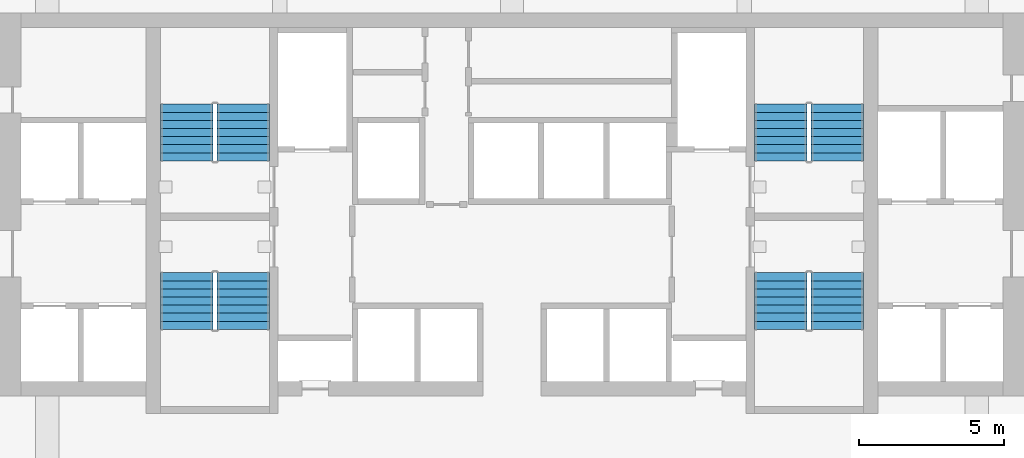
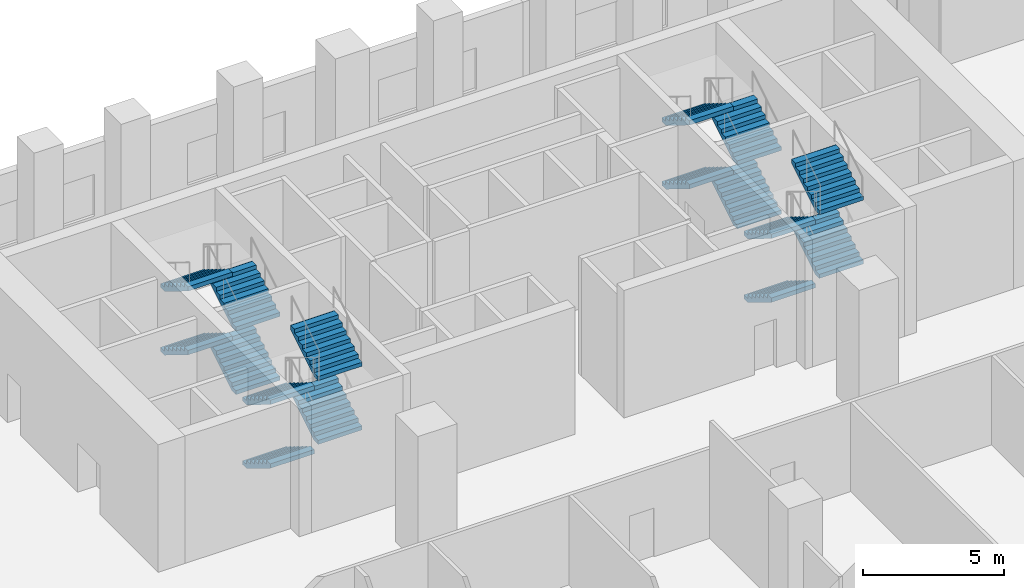
# One storey, part 15 of 22: 16 stair flights, 4 elements without a shape of their own.
"""IFC4 building model written with IfcOpenShell, lengths in metres."""

from ifc_helpers import new_model, si_unit, direction, frame, origin, place, context, subcontext, project, spatial, faceted_brep, source, transform, mapped, material, type_object, element, aggregate, save


model = new_model("IFC4")

# Units and contexts
model_context = context("Model", 3, precision=1e-05, world=origin(), true_north=direction((0.0, 1.0)))
body_context = subcontext(model_context, "Body", "Model", "MODEL_VIEW")
ifc_project = project(units=[si_unit("LENGTHUNIT", "METRE"), si_unit("AREAUNIT", "SQUARE_METRE"), si_unit("VOLUMEUNIT", "CUBIC_METRE"), si_unit("PLANEANGLEUNIT", "RADIAN"), si_unit("MASSUNIT", "GRAM", prefix="KILO")], contexts=[model_context])

# Site, building, storey
site_placement = place(None, origin())
site = spatial("IfcSite", under=ifc_project, at=site_placement, CompositionType="ELEMENT")
building_placement = place(site_placement, origin())
building = spatial("IfcBuilding", under=site, at=building_placement, Name="Calabash Gate Tower", CompositionType="ELEMENT")
storey_placement = place(building_placement, frame((0.0, 0.0, 29.0)))
storey = spatial("IfcBuildingStorey", under=building, at=storey_placement, Name="L03", CompositionType="ELEMENT", Elevation=29.0)

# Stair, stair flights
ifc_material_1 = material(Name="Concrete C40/50", Category="concrete")
stair_type = type_object("IfcStairType", Name="Exit stair 32 risers of 171.9 mm", PredefinedType="HALF_TURN_STAIR", material=ifc_material_1)
stair_1_placement = place(storey_placement, origin())
stair_1 = element("IfcStair", 1, at=stair_1_placement, inside=storey, type_object=stair_type, Name="L03 Exit stair ST1", PredefinedType="HALF_TURN_STAIR")
ifc_material_2 = material(Name="Concrete C40/50", Category="concrete")
stair_flight_type = type_object("IfcStairFlightType", Name="Exit stair flight SFL", PredefinedType="STRAIGHT", material=ifc_material_2)
shared_shape = source(origin(), body_context, "Body", "Brep", [
    faceted_brep([(-0.0009765625, -0.89990234375, 0.0), (0.285888671875, -0.89990234375, 0.0), (1.9541015625, -0.89990234375, 1.027099609375), (-0.0009765625, 0.89990234375, 0.0), (1.9541015625, 0.89990234375, 1.027099609375), (0.285888671875, 0.89990234375, 0.0), (1.9541015625, -0.89990234375, 1.215087890625), (1.952880859375, -0.89990234375, 1.215087890625), (1.952880859375, 0.89990234375, 1.215087890625), (1.9541015625, 0.89990234375, 1.215087890625), (1.952880859375, -0.89990234375, 1.203125), (1.952880859375, 0.89990234375, 1.203125), (1.674072265625, -0.89990234375, 1.203125), (1.674072265625, 0.89990234375, 1.203125), (1.674072265625, -0.89990234375, 1.03125), (1.674072265625, 0.89990234375, 1.03125), (1.39501953125, -0.89990234375, 1.03125), (1.39501953125, 0.89990234375, 1.03125), (1.39501953125, -0.89990234375, 0.859375), (1.39501953125, 0.89990234375, 0.859375), (1.115966796875, -0.89990234375, 0.859375), (1.115966796875, -0.89990234375, 0.6875), (1.115966796875, 0.89990234375, 0.6875), (1.115966796875, 0.89990234375, 0.859375), (0.8369140625, -0.89990234375, 0.6875), (0.8369140625, -0.89990234375, 0.515625), (0.8369140625, 0.89990234375, 0.515625), (0.8369140625, 0.89990234375, 0.6875), (0.55810546875, -0.89990234375, 0.515625), (0.55810546875, -0.89990234375, 0.34375), (0.55810546875, 0.89990234375, 0.34375), (0.55810546875, 0.89990234375, 0.515625), (0.279052734375, -0.89990234375, 0.34375), (0.279052734375, -0.89990234375, 0.171875), (0.279052734375, 0.89990234375, 0.171875), (0.279052734375, 0.89990234375, 0.34375), (-0.0009765625, -0.89990234375, 0.171875), (-0.0009765625, 0.89990234375, 0.171875), (0.285888671875, -0.360107421875, 0.0), (1.9541015625, -0.360107421875, 1.027099609375), (0.285888671875, -0.27001953125, 0.0), (1.9541015625, -0.27001953125, 1.027099609375), (0.285888671875, -0.179931640625, 0.0), (1.9541015625, -0.179931640625, 1.027099609375), (0.285888671875, -0.090087890625, 0.0), (1.9541015625, -0.090087890625, 1.027099609375), (0.285888671875, 0.0, 0.0), (1.9541015625, 0.0, 1.027099609375), (0.285888671875, 0.090087890625, 0.0), (1.9541015625, 0.090087890625, 1.027099609375), (0.285888671875, 0.179931640625, 0.0), (1.9541015625, 0.179931640625, 1.027099609375), (0.285888671875, 0.27001953125, 0.0), (1.9541015625, 0.27001953125, 1.027099609375), (0.285888671875, 0.360107421875, 0.0), (1.9541015625, 0.360107421875, 1.027099609375), (1.9541015625, -0.360107421875, 1.215087890625), (1.9541015625, -0.27001953125, 1.215087890625), (1.9541015625, -0.179931640625, 1.215087890625), (1.9541015625, -0.090087890625, 1.215087890625), (1.9541015625, 0.0, 1.215087890625), (1.9541015625, 0.090087890625, 1.215087890625), (1.9541015625, 0.179931640625, 1.215087890625), (1.9541015625, 0.27001953125, 1.215087890625), (1.9541015625, 0.360107421875, 1.215087890625), (1.952880859375, -0.360107421875, 1.215087890625), (1.952880859375, -0.27001953125, 1.215087890625), (1.952880859375, -0.179931640625, 1.215087890625), (1.952880859375, -0.090087890625, 1.215087890625), (1.952880859375, 0.0, 1.215087890625), (1.952880859375, 0.090087890625, 1.215087890625), (1.952880859375, 0.179931640625, 1.215087890625), (1.952880859375, 0.27001953125, 1.215087890625), (1.952880859375, 0.360107421875, 1.215087890625), (1.952880859375, -0.360107421875, 1.203125), (1.952880859375, -0.27001953125, 1.203125), (1.952880859375, -0.179931640625, 1.203125), (1.952880859375, -0.090087890625, 1.203125), (1.952880859375, 0.0, 1.203125), (1.952880859375, 0.090087890625, 1.203125), (1.952880859375, 0.179931640625, 1.203125), (1.952880859375, 0.27001953125, 1.203125), (1.952880859375, 0.360107421875, 1.203125), (1.674072265625, -0.360107421875, 1.203125), (1.674072265625, -0.27001953125, 1.203125), (1.674072265625, -0.179931640625, 1.203125), (1.674072265625, -0.090087890625, 1.203125), (1.674072265625, 0.0, 1.203125), (1.674072265625, 0.090087890625, 1.203125), (1.674072265625, 0.179931640625, 1.203125), (1.674072265625, 0.27001953125, 1.203125), (1.674072265625, 0.360107421875, 1.203125), (1.674072265625, -0.360107421875, 1.03125), (1.674072265625, -0.27001953125, 1.03125), (1.674072265625, -0.179931640625, 1.03125), (1.674072265625, -0.090087890625, 1.03125), (1.674072265625, 0.0, 1.03125), (1.674072265625, 0.090087890625, 1.03125), (1.674072265625, 0.179931640625, 1.03125), (1.674072265625, 0.27001953125, 1.03125), (1.674072265625, 0.360107421875, 1.03125), (1.39501953125, -0.360107421875, 1.03125), (1.39501953125, -0.27001953125, 1.03125), (1.39501953125, -0.179931640625, 1.03125), (1.39501953125, -0.090087890625, 1.03125), (1.39501953125, 0.0, 1.03125), (1.39501953125, 0.090087890625, 1.03125), (1.39501953125, 0.179931640625, 1.03125), (1.39501953125, 0.27001953125, 1.03125), (1.39501953125, 0.360107421875, 1.03125), (1.39501953125, -0.360107421875, 0.859375), (1.39501953125, -0.27001953125, 0.859375), (1.39501953125, -0.179931640625, 0.859375), (1.39501953125, -0.090087890625, 0.859375), (1.39501953125, 0.0, 0.859375), (1.39501953125, 0.090087890625, 0.859375), (1.39501953125, 0.179931640625, 0.859375), (1.39501953125, 0.27001953125, 0.859375), (1.39501953125, 0.360107421875, 0.859375), (1.115966796875, -0.360107421875, 0.859375), (1.115966796875, -0.27001953125, 0.859375), (1.115966796875, -0.179931640625, 0.859375), (1.115966796875, -0.090087890625, 0.859375), (1.115966796875, 0.0, 0.859375), (1.115966796875, 0.090087890625, 0.859375), (1.115966796875, 0.179931640625, 0.859375), (1.115966796875, 0.27001953125, 0.859375), (1.115966796875, 0.360107421875, 0.859375), (1.115966796875, -0.360107421875, 0.6875), (1.115966796875, -0.27001953125, 0.6875), (1.115966796875, -0.179931640625, 0.6875), (1.115966796875, -0.090087890625, 0.6875), (1.115966796875, 0.0, 0.6875), (1.115966796875, 0.090087890625, 0.6875), (1.115966796875, 0.179931640625, 0.6875), (1.115966796875, 0.27001953125, 0.6875), (1.115966796875, 0.360107421875, 0.6875), (0.8369140625, -0.360107421875, 0.6875), (0.8369140625, -0.27001953125, 0.6875), (0.8369140625, -0.179931640625, 0.6875), (0.8369140625, -0.090087890625, 0.6875), (0.8369140625, 0.0, 0.6875), (0.8369140625, 0.090087890625, 0.6875), (0.8369140625, 0.179931640625, 0.6875), (0.8369140625, 0.27001953125, 0.6875), (0.8369140625, 0.360107421875, 0.6875), (0.8369140625, -0.360107421875, 0.515625), (0.8369140625, -0.27001953125, 0.515625), (0.8369140625, -0.179931640625, 0.515625), (0.8369140625, -0.090087890625, 0.515625), (0.8369140625, 0.0, 0.515625), (0.8369140625, 0.090087890625, 0.515625), (0.8369140625, 0.179931640625, 0.515625), (0.8369140625, 0.27001953125, 0.515625), (0.8369140625, 0.360107421875, 0.515625), (0.55810546875, -0.360107421875, 0.515625), (0.55810546875, -0.27001953125, 0.515625), (0.55810546875, -0.179931640625, 0.515625), (0.55810546875, -0.090087890625, 0.515625), (0.55810546875, 0.0, 0.515625), (0.55810546875, 0.090087890625, 0.515625), (0.55810546875, 0.179931640625, 0.515625), (0.55810546875, 0.27001953125, 0.515625), (0.55810546875, 0.360107421875, 0.515625), (0.55810546875, -0.360107421875, 0.34375), (0.55810546875, -0.27001953125, 0.34375), (0.55810546875, -0.179931640625, 0.34375), (0.55810546875, -0.090087890625, 0.34375), (0.55810546875, 0.0, 0.34375), (0.55810546875, 0.090087890625, 0.34375), (0.55810546875, 0.179931640625, 0.34375), (0.55810546875, 0.27001953125, 0.34375), (0.55810546875, 0.360107421875, 0.34375), (0.279052734375, -0.360107421875, 0.34375), (0.279052734375, -0.27001953125, 0.34375), (0.279052734375, -0.179931640625, 0.34375), (0.279052734375, -0.090087890625, 0.34375), (0.279052734375, 0.0, 0.34375), (0.279052734375, 0.090087890625, 0.34375), (0.279052734375, 0.179931640625, 0.34375), (0.279052734375, 0.27001953125, 0.34375), (0.279052734375, 0.360107421875, 0.34375), (0.279052734375, -0.360107421875, 0.171875), (0.279052734375, -0.27001953125, 0.171875), (0.279052734375, -0.179931640625, 0.171875), (0.279052734375, -0.090087890625, 0.171875), (0.279052734375, 0.0, 0.171875), (0.279052734375, 0.090087890625, 0.171875), (0.279052734375, 0.179931640625, 0.171875), (0.279052734375, 0.27001953125, 0.171875), (0.279052734375, 0.360107421875, 0.171875), (-0.0009765625, -0.360107421875, 0.171875), (-0.0009765625, -0.27001953125, 0.171875), (-0.0009765625, -0.179931640625, 0.171875), (-0.0009765625, -0.090087890625, 0.171875), (-0.0009765625, 0.0, 0.171875), (-0.0009765625, 0.090087890625, 0.171875), (-0.0009765625, 0.179931640625, 0.171875), (-0.0009765625, 0.27001953125, 0.171875), (-0.0009765625, 0.360107421875, 0.171875), (-0.0009765625, -0.360107421875, 0.0), (-0.0009765625, -0.27001953125, 0.0), (-0.0009765625, -0.179931640625, 0.0), (-0.0009765625, -0.090087890625, 0.0), (-0.0009765625, 0.0, 0.0), (-0.0009765625, 0.090087890625, 0.0), (-0.0009765625, 0.179931640625, 0.0), (-0.0009765625, 0.27001953125, 0.0), (-0.0009765625, 0.360107421875, 0.0)], [[[0, 1, 2]], [[3, 4, 5]], [[2, 6, 7]], [[4, 8, 9]], [[2, 7, 10]], [[4, 11, 8]], [[2, 10, 12]], [[4, 13, 11]], [[2, 12, 14]], [[4, 15, 13]], [[2, 14, 16]], [[4, 17, 15]], [[2, 16, 18]], [[4, 19, 17]], [[18, 20, 21]], [[19, 22, 23]], [[2, 18, 21]], [[4, 22, 19]], [[21, 24, 25]], [[22, 26, 27]], [[2, 21, 25]], [[4, 26, 22]], [[25, 28, 29]], [[26, 30, 31]], [[2, 25, 29]], [[4, 30, 26]], [[29, 32, 33]], [[30, 34, 35]], [[2, 29, 33]], [[4, 34, 30]], [[0, 2, 33]], [[3, 34, 4]], [[33, 36, 0]], [[34, 3, 37]], [[1, 38, 2]], [[38, 39, 2]], [[38, 40, 39]], [[40, 41, 39]], [[40, 42, 41]], [[42, 43, 41]], [[42, 44, 43]], [[44, 45, 43]], [[44, 46, 45]], [[46, 47, 45]], [[46, 48, 49]], [[46, 49, 47]], [[48, 50, 51]], [[48, 51, 49]], [[50, 52, 53]], [[50, 53, 51]], [[52, 54, 55]], [[52, 55, 53]], [[54, 5, 4]], [[54, 4, 55]], [[2, 39, 6]], [[39, 56, 6]], [[39, 41, 56]], [[41, 57, 56]], [[41, 43, 57]], [[43, 58, 57]], [[43, 45, 58]], [[45, 59, 58]], [[45, 47, 59]], [[47, 60, 59]], [[47, 49, 61]], [[47, 61, 60]], [[49, 51, 62]], [[49, 62, 61]], [[51, 53, 63]], [[51, 63, 62]], [[53, 55, 64]], [[53, 64, 63]], [[55, 4, 9]], [[55, 9, 64]], [[6, 56, 7]], [[56, 65, 7]], [[56, 57, 65]], [[57, 66, 65]], [[57, 58, 66]], [[58, 67, 66]], [[58, 59, 67]], [[59, 68, 67]], [[59, 60, 68]], [[60, 69, 68]], [[60, 61, 70]], [[60, 70, 69]], [[61, 62, 71]], [[61, 71, 70]], [[62, 63, 72]], [[62, 72, 71]], [[63, 64, 73]], [[63, 73, 72]], [[64, 9, 8]], [[64, 8, 73]], [[7, 65, 10]], [[65, 74, 10]], [[65, 66, 74]], [[66, 75, 74]], [[66, 67, 75]], [[67, 76, 75]], [[67, 68, 76]], [[68, 77, 76]], [[68, 69, 77]], [[69, 78, 77]], [[69, 70, 79]], [[69, 79, 78]], [[70, 71, 80]], [[70, 80, 79]], [[71, 72, 81]], [[71, 81, 80]], [[72, 73, 82]], [[72, 82, 81]], [[73, 8, 11]], [[73, 11, 82]], [[10, 74, 12]], [[74, 83, 12]], [[74, 75, 83]], [[75, 84, 83]], [[75, 76, 84]], [[76, 85, 84]], [[76, 77, 85]], [[77, 86, 85]], [[77, 78, 86]], [[78, 87, 86]], [[78, 79, 88]], [[78, 88, 87]], [[79, 80, 89]], [[79, 89, 88]], [[80, 81, 90]], [[80, 90, 89]], [[81, 82, 91]], [[81, 91, 90]], [[82, 11, 13]], [[82, 13, 91]], [[12, 83, 14]], [[83, 92, 14]], [[83, 84, 92]], [[84, 93, 92]], [[84, 85, 93]], [[85, 94, 93]], [[85, 86, 94]], [[86, 95, 94]], [[86, 87, 95]], [[87, 96, 95]], [[87, 88, 97]], [[87, 97, 96]], [[88, 89, 98]], [[88, 98, 97]], [[89, 90, 99]], [[89, 99, 98]], [[90, 91, 100]], [[90, 100, 99]], [[91, 13, 15]], [[91, 15, 100]], [[14, 92, 16]], [[92, 101, 16]], [[92, 93, 101]], [[93, 102, 101]], [[93, 94, 102]], [[94, 103, 102]], [[94, 95, 103]], [[95, 104, 103]], [[95, 96, 104]], [[96, 105, 104]], [[96, 97, 106]], [[96, 106, 105]], [[97, 98, 107]], [[97, 107, 106]], [[98, 99, 108]], [[98, 108, 107]], [[99, 100, 109]], [[99, 109, 108]], [[100, 15, 17]], [[100, 17, 109]], [[16, 101, 18]], [[101, 110, 18]], [[101, 102, 110]], [[102, 111, 110]], [[102, 103, 111]], [[103, 112, 111]], [[103, 104, 112]], [[104, 113, 112]], [[104, 105, 113]], [[105, 114, 113]], [[105, 106, 115]], [[105, 115, 114]], [[106, 107, 116]], [[106, 116, 115]], [[107, 108, 117]], [[107, 117, 116]], [[108, 109, 118]], [[108, 118, 117]], [[109, 17, 19]], [[109, 19, 118]], [[18, 110, 20]], [[110, 119, 20]], [[110, 111, 119]], [[111, 120, 119]], [[111, 112, 120]], [[112, 121, 120]], [[112, 113, 121]], [[113, 122, 121]], [[113, 114, 122]], [[114, 123, 122]], [[114, 115, 124]], [[114, 124, 123]], [[115, 116, 125]], [[115, 125, 124]], [[116, 117, 126]], [[116, 126, 125]], [[117, 118, 127]], [[117, 127, 126]], [[118, 19, 23]], [[118, 23, 127]], [[20, 119, 21]], [[119, 128, 21]], [[119, 120, 128]], [[120, 129, 128]], [[120, 121, 129]], [[121, 130, 129]], [[121, 122, 130]], [[122, 131, 130]], [[122, 123, 131]], [[123, 132, 131]], [[123, 124, 133]], [[123, 133, 132]], [[124, 125, 134]], [[124, 134, 133]], [[125, 126, 135]], [[125, 135, 134]], [[126, 127, 136]], [[126, 136, 135]], [[127, 23, 22]], [[127, 22, 136]], [[21, 128, 24]], [[128, 137, 24]], [[128, 129, 137]], [[129, 138, 137]], [[129, 130, 138]], [[130, 139, 138]], [[130, 131, 139]], [[131, 140, 139]], [[131, 132, 140]], [[132, 141, 140]], [[132, 133, 142]], [[132, 142, 141]], [[133, 134, 143]], [[133, 143, 142]], [[134, 135, 144]], [[134, 144, 143]], [[135, 136, 145]], [[135, 145, 144]], [[136, 22, 27]], [[136, 27, 145]], [[24, 137, 25]], [[137, 146, 25]], [[137, 138, 146]], [[138, 147, 146]], [[138, 139, 147]], [[139, 148, 147]], [[139, 140, 148]], [[140, 149, 148]], [[140, 141, 149]], [[141, 150, 149]], [[141, 142, 151]], [[141, 151, 150]], [[142, 143, 152]], [[142, 152, 151]], [[143, 144, 153]], [[143, 153, 152]], [[144, 145, 154]], [[144, 154, 153]], [[145, 27, 26]], [[145, 26, 154]], [[25, 146, 28]], [[146, 155, 28]], [[146, 147, 155]], [[147, 156, 155]], [[147, 148, 156]], [[148, 157, 156]], [[148, 149, 157]], [[149, 158, 157]], [[149, 150, 158]], [[150, 159, 158]], [[150, 151, 160]], [[150, 160, 159]], [[151, 152, 161]], [[151, 161, 160]], [[152, 153, 162]], [[152, 162, 161]], [[153, 154, 163]], [[153, 163, 162]], [[154, 26, 31]], [[154, 31, 163]], [[28, 155, 29]], [[155, 164, 29]], [[155, 156, 164]], [[156, 165, 164]], [[156, 157, 165]], [[157, 166, 165]], [[157, 158, 166]], [[158, 167, 166]], [[158, 159, 167]], [[159, 168, 167]], [[159, 160, 169]], [[159, 169, 168]], [[160, 161, 170]], [[160, 170, 169]], [[161, 162, 171]], [[161, 171, 170]], [[162, 163, 172]], [[162, 172, 171]], [[163, 31, 30]], [[163, 30, 172]], [[29, 164, 32]], [[164, 173, 32]], [[164, 165, 173]], [[165, 174, 173]], [[165, 166, 174]], [[166, 175, 174]], [[166, 167, 175]], [[167, 176, 175]], [[167, 168, 176]], [[168, 177, 176]], [[168, 169, 178]], [[168, 178, 177]], [[169, 170, 179]], [[169, 179, 178]], [[170, 171, 180]], [[170, 180, 179]], [[171, 172, 181]], [[171, 181, 180]], [[172, 30, 35]], [[172, 35, 181]], [[32, 173, 33]], [[173, 182, 33]], [[173, 174, 182]], [[174, 183, 182]], [[174, 175, 183]], [[175, 184, 183]], [[175, 176, 184]], [[176, 185, 184]], [[176, 177, 185]], [[177, 186, 185]], [[177, 178, 187]], [[177, 187, 186]], [[178, 179, 188]], [[178, 188, 187]], [[179, 180, 189]], [[179, 189, 188]], [[180, 181, 190]], [[180, 190, 189]], [[181, 35, 34]], [[181, 34, 190]], [[33, 182, 36]], [[182, 191, 36]], [[182, 183, 191]], [[183, 192, 191]], [[183, 184, 192]], [[184, 193, 192]], [[184, 185, 193]], [[185, 194, 193]], [[185, 186, 194]], [[186, 195, 194]], [[186, 187, 196]], [[186, 196, 195]], [[187, 188, 197]], [[187, 197, 196]], [[188, 189, 198]], [[188, 198, 197]], [[189, 190, 199]], [[189, 199, 198]], [[190, 34, 37]], [[190, 37, 199]], [[36, 191, 0]], [[191, 200, 0]], [[191, 192, 200]], [[192, 201, 200]], [[192, 193, 201]], [[193, 202, 201]], [[193, 194, 202]], [[194, 203, 202]], [[194, 195, 203]], [[195, 204, 203]], [[195, 196, 205]], [[195, 205, 204]], [[196, 197, 206]], [[196, 206, 205]], [[197, 198, 207]], [[197, 207, 206]], [[198, 199, 208]], [[198, 208, 207]], [[199, 37, 3]], [[199, 3, 208]], [[0, 200, 1]], [[200, 38, 1]], [[200, 201, 38]], [[201, 40, 38]], [[201, 202, 40]], [[202, 42, 40]], [[202, 203, 42]], [[203, 44, 42]], [[203, 204, 44]], [[204, 46, 44]], [[204, 205, 48]], [[204, 48, 46]], [[205, 206, 50]], [[205, 50, 48]], [[206, 207, 52]], [[206, 52, 50]], [[207, 208, 54]], [[207, 54, 52]], [[208, 3, 5]], [[208, 5, 54]]]),
])
stair_flight_1_placement = place(storey_placement, frame((-9.25, 13.95263671875, 0.0), z_axis=(0.0, 0.0, 1.0), x_axis=(0.0, 1.0, 0.0)))
stair_flight_1 = element("IfcStairFlight", 2, at=stair_flight_1_placement, type_object=stair_flight_type, Name="ST1 flight 1", NumberOfRisers=8, NumberOfTreads=7, PredefinedType="STRAIGHT", RiserHeight=0.171875, TreadLength=0.279, context=body_context, shape_type="MappedRepresentation", body=[
    mapped(shared_shape, transform((0.0, 0.0, 0.0), scale=1.0)),
])
stair_flight_2_placement = place(storey_placement, frame((-11.199951171875, 15.905517578125, 1.375), z_axis=(0.0, 0.0, 1.0), x_axis=(0.0, -1.0, 0.0)))
stair_flight_2 = element("IfcStairFlight", 3, at=stair_flight_2_placement, type_object=stair_flight_type, Name="ST1 flight 2", NumberOfRisers=8, NumberOfTreads=7, PredefinedType="STRAIGHT", RiserHeight=0.171875, TreadLength=0.279, context=body_context, shape_type="MappedRepresentation", body=[
    mapped(shared_shape, transform((0.0, 0.0, 0.0), scale=1.0)),
])
stair_flight_3_placement = place(storey_placement, frame((-9.25, 13.95263671875, 2.75), z_axis=(0.0, 0.0, 1.0), x_axis=(0.0, 1.0, 0.0)))
stair_flight_3 = element("IfcStairFlight", 4, at=stair_flight_3_placement, type_object=stair_flight_type, Name="ST1 flight 3", NumberOfRisers=8, NumberOfTreads=7, PredefinedType="STRAIGHT", RiserHeight=0.171875, TreadLength=0.279, context=body_context, shape_type="MappedRepresentation", body=[
    mapped(shared_shape, transform((0.0, 0.0, 0.0), scale=1.0)),
])
stair_flight_4_placement = place(storey_placement, frame((-11.199951171875, 15.905517578125, 4.125), z_axis=(0.0, 0.0, 1.0), x_axis=(0.0, -1.0, 0.0)))
stair_flight_4 = element("IfcStairFlight", 5, at=stair_flight_4_placement, type_object=stair_flight_type, Name="ST1 flight 4", NumberOfRisers=8, NumberOfTreads=7, PredefinedType="STRAIGHT", RiserHeight=0.171875, TreadLength=0.279, context=body_context, shape_type="MappedRepresentation", body=[
    mapped(shared_shape, transform((0.0, 0.0, 0.0), scale=1.0)),
])
aggregate(stair_1, [stair_flight_1, stair_flight_2, stair_flight_3, stair_flight_4])

stair_2_placement = place(storey_placement, origin())
stair_2 = element("IfcStair", 6, at=stair_2_placement, inside=storey, type_object=stair_type, Name="L03 Exit stair ST2", PredefinedType="HALF_TURN_STAIR")
stair_flight_5_placement = place(storey_placement, frame((-11.199951171875, 10.1025390625, 0.0), z_axis=(0.0, 0.0, 1.0), x_axis=(0.0, -1.0, 0.0)))
stair_flight_5 = element("IfcStairFlight", 7, at=stair_flight_5_placement, type_object=stair_flight_type, Name="ST2 flight 1", NumberOfRisers=8, NumberOfTreads=7, PredefinedType="STRAIGHT", RiserHeight=0.171875, TreadLength=0.279, context=body_context, shape_type="MappedRepresentation", body=[
    mapped(shared_shape, transform((0.0, 0.0, 0.0), scale=1.0)),
])
stair_flight_6_placement = place(storey_placement, frame((-9.25, 8.149658203125, 1.375), z_axis=(0.0, 0.0, 1.0), x_axis=(0.0, 1.0, 0.0)))
stair_flight_6 = element("IfcStairFlight", 8, at=stair_flight_6_placement, type_object=stair_flight_type, Name="ST2 flight 2", NumberOfRisers=8, NumberOfTreads=7, PredefinedType="STRAIGHT", RiserHeight=0.171875, TreadLength=0.279, context=body_context, shape_type="MappedRepresentation", body=[
    mapped(shared_shape, transform((0.0, 0.0, 0.0), scale=1.0)),
])
stair_flight_7_placement = place(storey_placement, frame((-11.199951171875, 10.1025390625, 2.75), z_axis=(0.0, 0.0, 1.0), x_axis=(0.0, -1.0, 0.0)))
stair_flight_7 = element("IfcStairFlight", 9, at=stair_flight_7_placement, type_object=stair_flight_type, Name="ST2 flight 3", NumberOfRisers=8, NumberOfTreads=7, PredefinedType="STRAIGHT", RiserHeight=0.171875, TreadLength=0.279, context=body_context, shape_type="MappedRepresentation", body=[
    mapped(shared_shape, transform((0.0, 0.0, 0.0), scale=1.0)),
])
stair_flight_8_placement = place(storey_placement, frame((-9.25, 8.149658203125, 4.125), z_axis=(0.0, 0.0, 1.0), x_axis=(0.0, 1.0, 0.0)))
stair_flight_8 = element("IfcStairFlight", 10, at=stair_flight_8_placement, type_object=stair_flight_type, Name="ST2 flight 4", NumberOfRisers=8, NumberOfTreads=7, PredefinedType="STRAIGHT", RiserHeight=0.171875, TreadLength=0.279, context=body_context, shape_type="MappedRepresentation", body=[
    mapped(shared_shape, transform((0.0, 0.0, 0.0), scale=1.0)),
])
aggregate(stair_2, [stair_flight_5, stair_flight_6, stair_flight_7, stair_flight_8])

stair_3_placement = place(storey_placement, origin())
stair_3 = element("IfcStair", 11, at=stair_3_placement, inside=storey, type_object=stair_type, Name="L03 Exit stair ST3", PredefinedType="HALF_TURN_STAIR")
stair_flight_9_placement = place(storey_placement, frame((11.199951171875, 13.95263671875, 0.0), z_axis=(0.0, 0.0, 1.0), x_axis=(0.0, 1.0, 0.0)))
stair_flight_9 = element("IfcStairFlight", 12, at=stair_flight_9_placement, type_object=stair_flight_type, Name="ST3 flight 1", NumberOfRisers=8, NumberOfTreads=7, PredefinedType="STRAIGHT", RiserHeight=0.171875, TreadLength=0.279, context=body_context, shape_type="MappedRepresentation", body=[
    mapped(shared_shape, transform((0.0, 0.0, 0.0), scale=1.0)),
])
stair_flight_10_placement = place(storey_placement, frame((9.25, 15.905517578125, 1.375), z_axis=(0.0, 0.0, 1.0), x_axis=(0.0, -1.0, 0.0)))
stair_flight_10 = element("IfcStairFlight", 13, at=stair_flight_10_placement, type_object=stair_flight_type, Name="ST3 flight 2", NumberOfRisers=8, NumberOfTreads=7, PredefinedType="STRAIGHT", RiserHeight=0.171875, TreadLength=0.279, context=body_context, shape_type="MappedRepresentation", body=[
    mapped(shared_shape, transform((0.0, 0.0, 0.0), scale=1.0)),
])
stair_flight_11_placement = place(storey_placement, frame((11.199951171875, 13.95263671875, 2.75), z_axis=(0.0, 0.0, 1.0), x_axis=(0.0, 1.0, 0.0)))
stair_flight_11 = element("IfcStairFlight", 14, at=stair_flight_11_placement, type_object=stair_flight_type, Name="ST3 flight 3", NumberOfRisers=8, NumberOfTreads=7, PredefinedType="STRAIGHT", RiserHeight=0.171875, TreadLength=0.279, context=body_context, shape_type="MappedRepresentation", body=[
    mapped(shared_shape, transform((0.0, 0.0, 0.0), scale=1.0)),
])
stair_flight_12_placement = place(storey_placement, frame((9.25, 15.905517578125, 4.125), z_axis=(0.0, 0.0, 1.0), x_axis=(0.0, -1.0, 0.0)))
stair_flight_12 = element("IfcStairFlight", 15, at=stair_flight_12_placement, type_object=stair_flight_type, Name="ST3 flight 4", NumberOfRisers=8, NumberOfTreads=7, PredefinedType="STRAIGHT", RiserHeight=0.171875, TreadLength=0.279, context=body_context, shape_type="MappedRepresentation", body=[
    mapped(shared_shape, transform((0.0, 0.0, 0.0), scale=1.0)),
])
aggregate(stair_3, [stair_flight_9, stair_flight_10, stair_flight_11, stair_flight_12])

stair_4_placement = place(storey_placement, origin())
stair_4 = element("IfcStair", 16, at=stair_4_placement, inside=storey, type_object=stair_type, Name="L03 Exit stair ST4", PredefinedType="HALF_TURN_STAIR")
stair_flight_13_placement = place(storey_placement, frame((9.25, 10.1025390625, 0.0), z_axis=(0.0, 0.0, 1.0), x_axis=(0.0, -1.0, 0.0)))
stair_flight_13 = element("IfcStairFlight", 17, at=stair_flight_13_placement, type_object=stair_flight_type, Name="ST4 flight 1", NumberOfRisers=8, NumberOfTreads=7, PredefinedType="STRAIGHT", RiserHeight=0.171875, TreadLength=0.279, context=body_context, shape_type="MappedRepresentation", body=[
    mapped(shared_shape, transform((0.0, 0.0, 0.0), scale=1.0)),
])
stair_flight_14_placement = place(storey_placement, frame((11.199951171875, 8.149658203125, 1.375), z_axis=(0.0, 0.0, 1.0), x_axis=(0.0, 1.0, 0.0)))
stair_flight_14 = element("IfcStairFlight", 18, at=stair_flight_14_placement, type_object=stair_flight_type, Name="ST4 flight 2", NumberOfRisers=8, NumberOfTreads=7, PredefinedType="STRAIGHT", RiserHeight=0.171875, TreadLength=0.279, context=body_context, shape_type="MappedRepresentation", body=[
    mapped(shared_shape, transform((0.0, 0.0, 0.0), scale=1.0)),
])
stair_flight_15_placement = place(storey_placement, frame((9.25, 10.1025390625, 2.75), z_axis=(0.0, 0.0, 1.0), x_axis=(0.0, -1.0, 0.0)))
stair_flight_15 = element("IfcStairFlight", 19, at=stair_flight_15_placement, type_object=stair_flight_type, Name="ST4 flight 3", NumberOfRisers=8, NumberOfTreads=7, PredefinedType="STRAIGHT", RiserHeight=0.171875, TreadLength=0.279, context=body_context, shape_type="MappedRepresentation", body=[
    mapped(shared_shape, transform((0.0, 0.0, 0.0), scale=1.0)),
])
stair_flight_16_placement = place(storey_placement, frame((11.199951171875, 8.149658203125, 4.125), z_axis=(0.0, 0.0, 1.0), x_axis=(0.0, 1.0, 0.0)))
stair_flight_16 = element("IfcStairFlight", 20, at=stair_flight_16_placement, type_object=stair_flight_type, Name="ST4 flight 4", NumberOfRisers=8, NumberOfTreads=7, PredefinedType="STRAIGHT", RiserHeight=0.171875, TreadLength=0.279, context=body_context, shape_type="MappedRepresentation", body=[
    mapped(shared_shape, transform((0.0, 0.0, 0.0), scale=1.0)),
])
aggregate(stair_4, [stair_flight_13, stair_flight_14, stair_flight_15, stair_flight_16])

save(model, "model.ifc")
